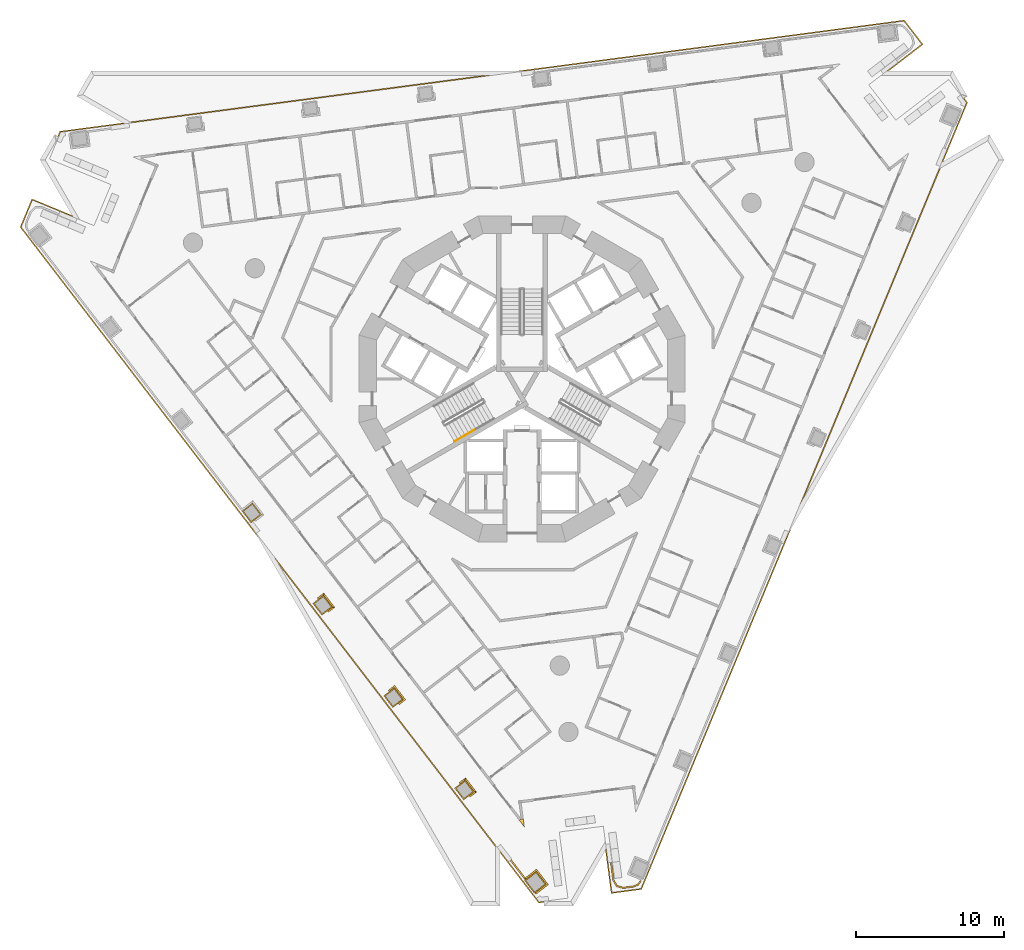
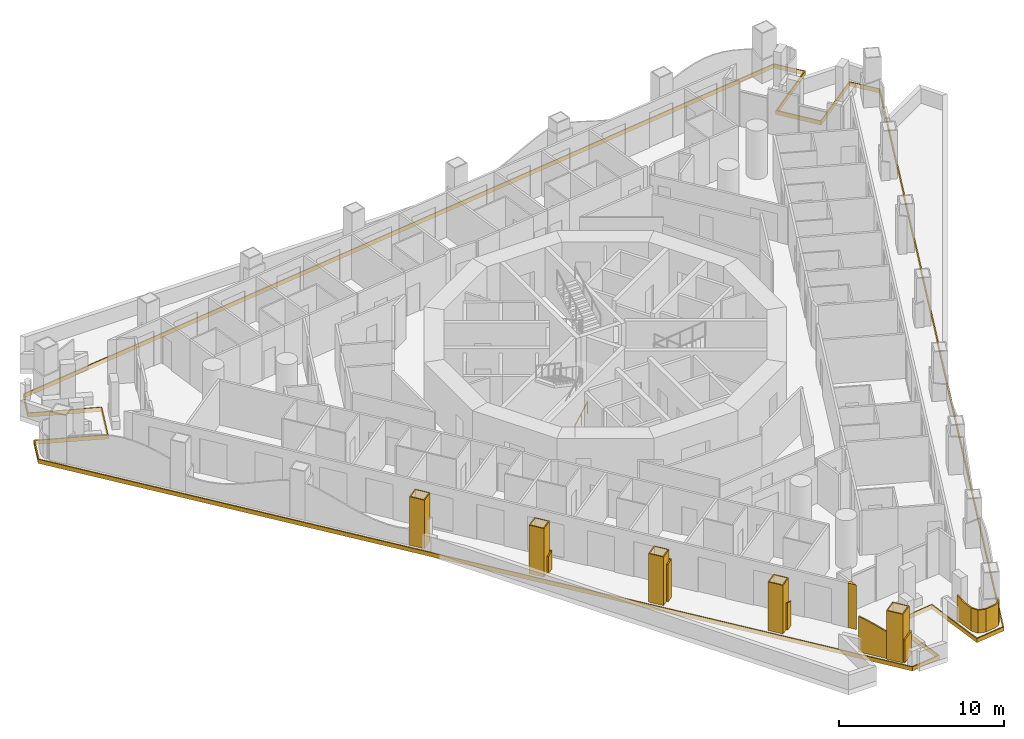
# One storey, part 13 of 20: 7 coverings, 6 railings.
"""IFC4 building model written with IfcOpenShell, lengths in metres."""

from ifc_helpers import new_model, si_unit, direction, frame, origin, origin_2d, place, context, subcontext, project, spatial, polyline, circle, outline, extrude, material, layer, layer_set, type_object, element, save


model = new_model("IFC4")

# Units and contexts
model_context = context("Model", 3, precision=1e-05, world=origin(), true_north=direction((0.0, 1.0)))
body_context = subcontext(model_context, "Body", "Model", "MODEL_VIEW")
ifc_project = project(units=[si_unit("LENGTHUNIT", "METRE"), si_unit("AREAUNIT", "SQUARE_METRE"), si_unit("VOLUMEUNIT", "CUBIC_METRE"), si_unit("PLANEANGLEUNIT", "RADIAN"), si_unit("MASSUNIT", "GRAM", prefix="KILO")], contexts=[model_context])

# Site, building, storey
site_placement = place(None, origin())
site = spatial("IfcSite", under=ifc_project, at=site_placement, CompositionType="ELEMENT")
building_placement = place(site_placement, origin())
building = spatial("IfcBuilding", under=site, at=building_placement, Name="Trine Commons Tower", CompositionType="ELEMENT")
storey_placement = place(building_placement, frame((0.0, 0.0, 50.39990234375)))
storey = spatial("IfcBuildingStorey", under=building, at=storey_placement, Name="L11", CompositionType="ELEMENT", Elevation=50.39990234375)

# Coverings
ifc_material_1 = material(Name="Aluminium-framed insulated wall panel", Category="aluminium")
ifc_layer_1 = layer(ifc_material_1, 0.14990234375)
ifc_layer_set_1 = layer_set([ifc_layer_1], Name="Aluminium-framed insulated wall panel")
covering_type_1 = type_object("IfcCoveringType", Name="Glazing corner post, aluminium", PredefinedType="CLADDING", material=ifc_layer_set_1)
covering_1_placement = place(storey_placement, origin())
element("IfcCovering", 1, at=covering_1_placement, inside=storey, type_object=covering_type_1, Name="Glazing corner post 2-12", PredefinedType="CLADDING", context=body_context, shape_type="SweptSolid", body=[
    extrude(outline(polyline([(79.818603515625, 32.697021484375), (80.159423828125, 32.2529296875), (80.086181640625, 32.80810546875), (79.9375, 32.788330078125), (79.818603515625, 32.697021484375)])), origin(), (0.0, 0.0, 1.0), 3.300048828125),
])
ifc_material_2 = material(Name="Limestone, honed", Category="masonry")
ifc_layer_2 = layer(ifc_material_2, 0.074951171875)
ifc_layer_set_2 = layer_set([ifc_layer_2], Name="Limestone, honed")
covering_type_2 = type_object("IfcCoveringType", Name="Limestone column cladding 75", PredefinedType="CLADDING", material=ifc_layer_set_2)
covering_2_placement = place(storey_placement, origin())
element("IfcCovering", 2, at=covering_2_placement, inside=storey, type_object=covering_type_2, Name="Limestone pier cladding 2-01", PredefinedType="CLADDING", context=body_context, shape_type="SweptSolid", body=[
    extrude(outline(polyline([(80.96142578125, 29.2529296875), (80.16796875, 28.644287109375), (80.837646484375, 27.771484375), (81.631103515625, 28.38037109375), (80.96142578125, 29.2529296875)]), holes=[polyline([(80.947509765625, 29.14794921875), (80.273193359375, 28.63037109375), (80.8515625, 27.876708984375), (81.52587890625, 28.394287109375), (80.947509765625, 29.14794921875)])]), origin(), (0.0, 0.0, 1.0), 3.60009765625),
])
covering_3_placement = place(storey_placement, origin())
element("IfcCovering", 3, at=covering_3_placement, inside=storey, type_object=covering_type_2, Name="Limestone pier cladding 2-02", PredefinedType="CLADDING", context=body_context, shape_type="SweptSolid", body=[
    extrude(outline(polyline([(76.1669921875, 35.419189453125), (75.452880859375, 34.87109375), (76.061767578125, 34.077880859375), (76.775634765625, 34.625732421875), (76.1669921875, 35.419189453125)]), holes=[polyline([(76.153076171875, 35.31396484375), (75.55810546875, 34.857421875), (76.075439453125, 34.18310546875), (76.67041015625, 34.6396484375), (76.153076171875, 35.31396484375)])]), origin(), (0.0, 0.0, 1.0), 3.60009765625),
])
covering_4_placement = place(storey_placement, origin())
element("IfcCovering", 4, at=covering_4_placement, inside=storey, type_object=covering_type_2, Name="Limestone pier cladding 2-03", PredefinedType="CLADDING", context=body_context, shape_type="SweptSolid", body=[
    extrude(outline(polyline([(71.381591796875, 41.6552734375), (70.667724609375, 41.107421875), (71.276611328125, 40.314208984375), (71.990478515625, 40.862060546875), (71.381591796875, 41.6552734375)]), holes=[polyline([(71.367919921875, 41.55029296875), (70.77294921875, 41.093505859375), (71.290283203125, 40.419189453125), (71.88525390625, 40.875732421875), (71.367919921875, 41.55029296875)])]), origin(), (0.0, 0.0, 1.0), 3.60009765625),
])
covering_5_placement = place(storey_placement, origin())
element("IfcCovering", 5, at=covering_5_placement, inside=storey, type_object=covering_type_2, Name="Limestone pier cladding 2-04", PredefinedType="CLADDING", context=body_context, shape_type="SweptSolid", body=[
    extrude(outline(polyline([(66.5966796875, 47.891357421875), (65.882568359375, 47.343505859375), (66.491455078125, 46.55029296875), (67.205322265625, 47.09814453125), (66.5966796875, 47.891357421875)]), holes=[polyline([(66.582763671875, 47.786376953125), (65.98779296875, 47.32958984375), (66.505126953125, 46.6552734375), (67.10009765625, 47.11181640625), (66.582763671875, 47.786376953125)])]), origin(), (0.0, 0.0, 1.0), 3.60009765625),
])
covering_6_placement = place(storey_placement, origin())
element("IfcCovering", 6, at=covering_6_placement, inside=storey, type_object=covering_type_2, Name="Limestone pier cladding 2-05", PredefinedType="CLADDING", context=body_context, shape_type="SweptSolid", body=[
    extrude(outline(polyline([(61.811279296875, 54.127685546875), (61.097412109375, 53.57958984375), (61.706298828125, 52.786376953125), (62.420166015625, 53.334228515625), (61.811279296875, 54.127685546875)]), holes=[polyline([(61.797607421875, 54.0224609375), (61.20263671875, 53.56591796875), (61.719970703125, 52.8916015625), (62.31494140625, 53.34814453125), (61.797607421875, 54.0224609375)])]), origin(), (0.0, 0.0, 1.0), 3.60009765625),
])
ifc_layer_3 = layer(ifc_material_2, 0.074951171875)
ifc_layer_set_3 = layer_set([ifc_layer_3], Name="Limestone, honed")
covering_type_3 = type_object("IfcCoveringType", Name="Limestone spandrel panel 75", PredefinedType="CLADDING", material=ifc_layer_set_3)
covering_7_placement = place(storey_placement, frame((0.0, 0.0, -0.2998046875)))
element("IfcCovering", 7, at=covering_7_placement, inside=storey, type_object=covering_type_3, Name="Limestone spandrel panel 2-01", PredefinedType="CLADDING", context=body_context, shape_type="SweptSolid", body=[
    extrude(outline(polyline([(85.423583984375, 32.220458984375), (86.010986328125, 27.7587890625), (88.07568359375, 28.03076171875), (110.083740234375, 81.1630859375), (108.816162109375, 82.815185546875), (105.24609375, 80.07568359375), (103.510986328125, 82.3369140625), (107.081298828125, 85.076416015625), (105.8134765625, 86.728515625), (48.79541015625, 79.2216796875), (47.998291015625, 77.2978515625), (52.156005859375, 75.57568359375), (51.065185546875, 72.94287109375), (46.90771484375, 74.664794921875), (46.11083984375, 72.740966796875), (81.120849609375, 27.114990234375), (83.185302734375, 27.386962890625), (82.59814453125, 31.848388671875), (85.423583984375, 32.220458984375)]), holes=[polyline([(108.80224609375, 82.710205078125), (109.998046875, 81.15185546875), (88.02294921875, 28.099365234375), (86.07568359375, 27.843017578125), (85.48828125, 32.304443359375), (82.513916015625, 31.912841796875), (83.101318359375, 27.451416015625), (81.154052734375, 27.195068359375), (46.19677734375, 72.752197265625), (46.948486328125, 74.56689453125), (51.105712890625, 72.8447265625), (52.25390625, 75.616455078125), (48.096435546875, 77.33837890625), (48.847900390625, 79.153076171875), (105.780517578125, 86.6484375), (106.97607421875, 85.090087890625), (103.406005859375, 82.3505859375), (105.232177734375, 79.970703125), (108.80224609375, 82.710205078125)])]), origin(), (0.0, 0.0, 1.0), 0.2998046875),
])

# Railings
ifc_material_3 = material(Name="Stainless steel handrail", Category="steel")
railing_type_1 = type_object("IfcRailingType", Name="Stair handrail, steel 900", PredefinedType="HANDRAIL", material=ifc_material_3)
railing_1_placement = place(storey_placement, frame((75.43017578125, 58.27392578125, 0.150146484375)))
element("IfcRailing", 8, at=railing_1_placement, inside=storey, type_object=railing_type_1, Name="L11 ST2A stair handrail 1", PredefinedType="HANDRAIL", context=body_context, shape_type="SweptSolid", body=[
    extrude(circle(Radius=0.02099609375, at=origin_2d()), frame((0.0, 0.0, 0.87890625), z_axis=(0.76340495495, 0.440743040072, 0.472184759798), x_axis=(-0.499992328818, 0.866029832698, 0.0)), (0.0, 0.0, 1.0), 1.7470703125),
    extrude(circle(Radius=0.01513671875, at=origin_2d()), origin(), (0.0, 0.0, 1.0), 0.85791015625),
    extrude(circle(Radius=0.01513671875, at=origin_2d()), frame((0.6669921875, 0.385009765625, 0.41259765625)), (0.0, 0.0, 1.0), 0.85791015625),
    extrude(circle(Radius=0.01513671875, at=origin_2d()), frame((1.333740234375, 0.77001953125, 0.824951171875)), (0.0, 0.0, 1.0), 0.85791015625),
])
ifc_material_4 = material(Name="White powder-coated aluminium", Category="aluminium")
ifc_layer_4 = layer(ifc_material_4, 0.10009765625)
ifc_layer_set_4 = layer_set([ifc_layer_4], Name="White powder-coated aluminium")
railing_type_2 = type_object("IfcRailingType", Name="White balustrade band 100", PredefinedType="GUARDRAIL", material=ifc_layer_set_4)
railing_2_placement = place(storey_placement, origin())
element("IfcRailing", 9, at=railing_2_placement, inside=storey, type_object=railing_type_2, Name="Guard band L11", PredefinedType="GUARDRAIL", context=body_context, shape_type="SweptSolid", body=[
    extrude(outline(polyline([(0.0, 0.0), (0.54052734375, 0.0), (0.540771484375, 1.8125), (0.540771484375, 1.8125), (0.03515625, 2.009765625), (0.0, 2.0234375), (0.0, 0.0)])), frame((76.440673828125, 34.356201171875, 0.0), z_axis=(0.608924561355, -0.793228137788, 0.0), x_axis=(0.793228137788, 0.608924561355, 0.0)), (0.0, 0.0, 1.0), 0.10009765625),
    extrude(outline(polyline([(0.0, 0.0), (1.22119140625, 0.0), (1.22119140625, 1.421142578125), (0.610595703125, 1.623291015625), (0.0, 1.851806640625), (0.0, 0.0)])), frame((76.850830078125, 34.544189453125, 0.0), z_axis=(0.793329536598, 0.60879244933, 0.0), x_axis=(-0.60879244933, 0.793329536598, 0.0)), (0.0, 0.0, 1.0), 0.10009765625),
    extrude(outline(polyline([(0.0, 0.0), (0.540771484375, 0.0), (0.54052734375, 1.301513671875), (0.505615234375, 1.30908203125), (0.0, 1.452392578125), (0.0, 0.0)])), frame((76.248779296875, 35.494140625, 0.0), z_axis=(-0.608706426316, 0.793395542313, 0.0), x_axis=(-0.793395542313, -0.608706426316, 0.0)), (0.0, 0.0, 1.0), 0.10009765625),
])
railing_3_placement = place(storey_placement, origin())
element("IfcRailing", 10, at=railing_3_placement, inside=storey, type_object=railing_type_2, Name="Guard band L11 2", PredefinedType="GUARDRAIL", context=body_context, shape_type="SweptSolid", body=[
    extrude(outline(polyline([(0.0, 0.0), (0.541259765625, 0.0), (0.541015625, 2.86572265625), (0.541015625, 2.86572265625), (0.03515625, 2.780029296875), (0.0, 2.77294921875), (0.0, 0.0)])), frame((71.6552734375, 40.59228515625, 0.0), z_axis=(0.608838586825, -0.793294129055, 0.0), x_axis=(0.793294129055, 0.608838586825, 0.0)), (0.0, 0.0, 1.0), 0.10009765625),
    extrude(outline(polyline([(0.0, 0.0), (1.2216796875, 0.0), (1.2216796875, 2.880126953125), (0.7373046875, 2.900146484375), (0.61083984375, 2.898681640625), (0.0, 2.85400390625), (0.0, 0.0)])), frame((72.0654296875, 40.7802734375, 0.0), z_axis=(0.793381150177, 0.608725184746, 0.0), x_axis=(-0.608725184746, 0.793381150177, 0.0)), (0.0, 0.0, 1.0), 0.10009765625),
    extrude(outline(polyline([(0.0, 0.0), (0.54052734375, 0.0), (0.54052734375, 2.77734375), (0.505859375, 2.780029296875), (0.0, 2.8876953125), (0.0, 0.0)])), frame((71.46337890625, 41.73046875, 0.0), z_axis=(-0.608924561355, 0.793228137788, 0.0), x_axis=(-0.793228137788, -0.608924561355, 0.0)), (0.0, 0.0, 1.0), 0.10009765625),
])
railing_4_placement = place(storey_placement, origin())
element("IfcRailing", 11, at=railing_4_placement, inside=storey, type_object=railing_type_2, Name="Guard band L11 3", PredefinedType="GUARDRAIL", context=body_context, shape_type="SweptSolid", body=[
    extrude(outline(polyline([(0.0, 0.0), (0.540771484375, 0.0), (0.540771484375, 1.376708984375), (0.034912109375, 1.249755859375), (0.0, 1.243408203125), (0.0, 0.0)])), frame((66.870361328125, 46.82861328125, 0.0), z_axis=(0.608706426316, -0.793395542313, 0.0), x_axis=(0.793395542313, 0.608706426316, 0.0)), (0.0, 0.0, 1.0), 0.10009765625),
    extrude(outline(polyline([(0.0, 0.0), (1.221923828125, 0.0), (1.2216796875, 1.75439453125), (0.61083984375, 1.534912109375), (0.0, 1.348388671875), (0.0, 0.0)])), frame((67.28076171875, 47.01611328125, 0.0), z_axis=(0.793284637014, 0.608850954403, 0.0), x_axis=(-0.608850954403, 0.793284637014, 0.0)), (0.0, 0.0, 1.0), 0.10009765625),
    extrude(outline(polyline([(0.0, 0.0), (0.540283203125, 0.0), (0.540283203125, 1.923828125), (0.505615234375, 1.910400390625), (0.0, 1.716552734375), (0.0, 0.0)])), frame((66.67822265625, 47.96630859375, 0.0), z_axis=(-0.608640214117, 0.793446337038, 0.0), x_axis=(-0.793446337038, -0.608640214117, 0.0)), (0.0, 0.0, 1.0), 0.10009765625),
])
railing_5_placement = place(storey_placement, origin())
element("IfcRailing", 12, at=railing_5_placement, inside=storey, type_object=railing_type_2, Name="Guard band L11 17", PredefinedType="GUARDRAIL", context=body_context, shape_type="SweptSolid", body=[
    extrude(outline(polyline([(0.0, 0.0), (0.332275390625, 0.0), (0.332275390625, 1.7001953125), (0.0, 1.7001953125), (0.0, 0.0)])), frame((88.05908203125, 28.577880859375, 0.0), z_axis=(-0.793606361292, 0.608431543657, 0.0), x_axis=(-0.608431543657, -0.793606361292, 0.0)), (0.0, 0.0, 1.0), 0.10009765625),
    extrude(outline(polyline([(0.0, 0.0), (0.33251953125, 0.0), (0.33251953125, 1.7001953125), (0.068603515625, 1.7001953125), (0.0, 1.7001953125), (0.0, 0.0)])), frame((87.858154296875, 28.315673828125, 0.0), z_axis=(-0.382632867801, 0.923900475419, 0.0), x_axis=(-0.923900475419, -0.382632867801, 0.0)), (0.0, 0.0, 1.0), 0.10009765625),
    extrude(outline(polyline([(0.0, 0.0), (0.72021484375, 0.0), (0.72021484375, 1.7001953125), (0.0, 1.7001953125), (0.0, 0.0)])), frame((87.552490234375, 28.188720703125, 0.0), z_axis=(-0.130498353005, 0.991448526078, 0.0), x_axis=(-0.991448526078, -0.130498353005, 0.0)), (0.0, 0.0, 1.0), 0.10009765625),
    extrude(outline(polyline([(0.0, 0.0), (0.49169921875, 0.0), (0.49169921875, 1.7001953125), (0.0, 1.7001953125), (0.0, 0.0)])), frame((86.83984375, 28.0947265625, 0.0), z_axis=(0.258744359923, 0.965945835028, 0.0), x_axis=(-0.965945835028, 0.258744359923, 0.0)), (0.0, 0.0, 1.0), 0.10009765625),
    extrude(outline(polyline([(0.0, 0.0), (0.491943359375, 0.0), (0.491943359375, 1.7001953125), (0.0, 1.7001953125), (0.0, 0.0)])), frame((86.366455078125, 28.220947265625, 0.0), z_axis=(0.865912836248, 0.500194922027, 0.0), x_axis=(-0.500194922027, 0.865912836248, 0.0)), (0.0, 0.0, 1.0), 0.10009765625),
    extrude(outline(polyline([(0.0, 0.0), (1.4189453125, 0.0), (1.418701171875, 1.87744140625), (1.32861328125, 1.842041015625), (0.664306640625, 1.7001953125), (0.0, 1.7001953125), (0.0, 0.0)])), frame((86.121337890625, 28.64501953125, 0.0), z_axis=(0.991435544456, 0.130596941729, 0.0), x_axis=(-0.130596941729, 0.991435544456, 0.0)), (0.0, 0.0, 1.0), 0.10009765625),
])
railing_6_placement = place(storey_placement, origin())
element("IfcRailing", 13, at=railing_6_placement, inside=storey, type_object=railing_type_2, Name="Guard band L11 18", PredefinedType="GUARDRAIL", context=body_context, shape_type="SweptSolid", body=[
    extrude(outline(polyline([(0.0, 0.0), (1.06201171875, 0.0), (1.06201171875, 1.7001953125), (0.531005859375, 1.7001953125), (0.0, 1.7001953125), (0.0, 0.0)])), frame((80.8828125, 27.7939453125, 0.0), z_axis=(0.608754854632, -0.793358384945, 0.0), x_axis=(0.793358384945, 0.608754854632, 0.0)), (0.0, 0.0, 1.0), 0.10009765625),
    extrude(outline(polyline([(0.0, 0.0), (1.321533203125, 0.0), (1.3212890625, 1.7001953125), (0.66064453125, 1.7001953125), (0.0, 1.7001953125), (0.0, 0.0)])), frame((81.7060546875, 28.298583984375, 0.0), z_axis=(0.793344603323, 0.608772815079, 0.0), x_axis=(-0.608772815079, 0.793344603323, 0.0)), (0.0, 0.0, 1.0), 0.10009765625),
    extrude(outline(polyline([(0.0, 0.0), (1.0615234375, 0.0), (1.0615234375, 2.031005859375), (0.53076171875, 1.82373046875), (0.0, 1.7001953125), (0.0, 0.0)])), frame((81.043212890625, 29.328369140625, 0.0), z_axis=(-0.608721173943, 0.793384227467, 0.0), x_axis=(-0.793384227467, -0.608721173943, 0.0)), (0.0, 0.0, 1.0), 0.10009765625),
    extrude(outline(polyline([(0.0, 0.0), (1.842529296875, 0.0), (1.8427734375, 2.63330078125), (1.509521484375, 2.5439453125), (0.754638671875, 2.28271484375), (0.0, 1.9912109375), (0.0, 0.0)])), frame((80.201904296875, 28.681884765625, 0.0), z_axis=(0.793401587955, 0.60869854627, 0.0), x_axis=(-0.60869854627, 0.793401587955, 0.0)), (0.0, 0.0, 1.0), 0.10009765625),
])

save(model, "model.ifc")
